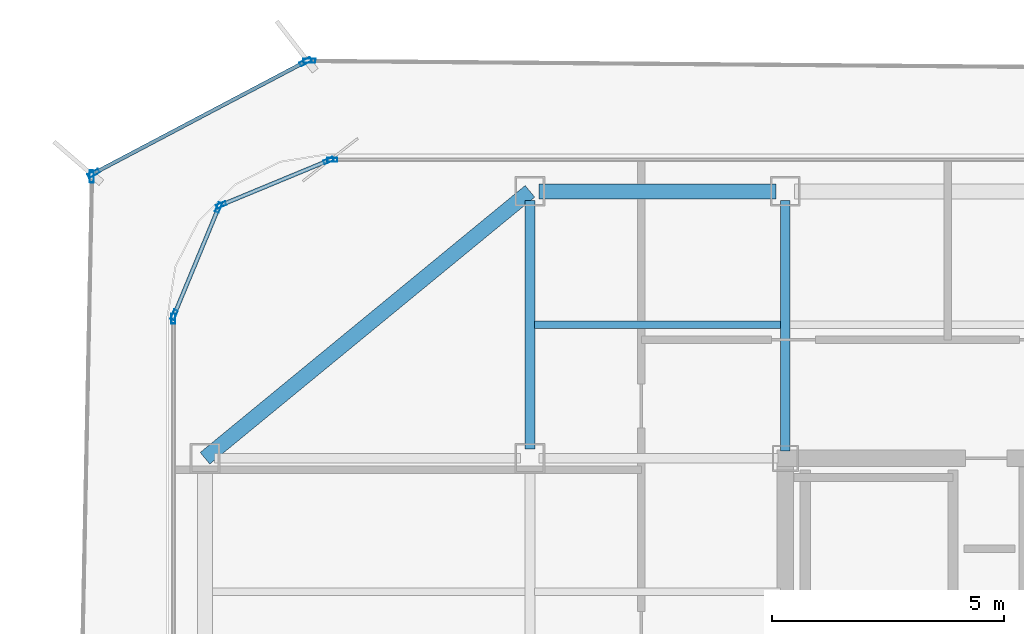
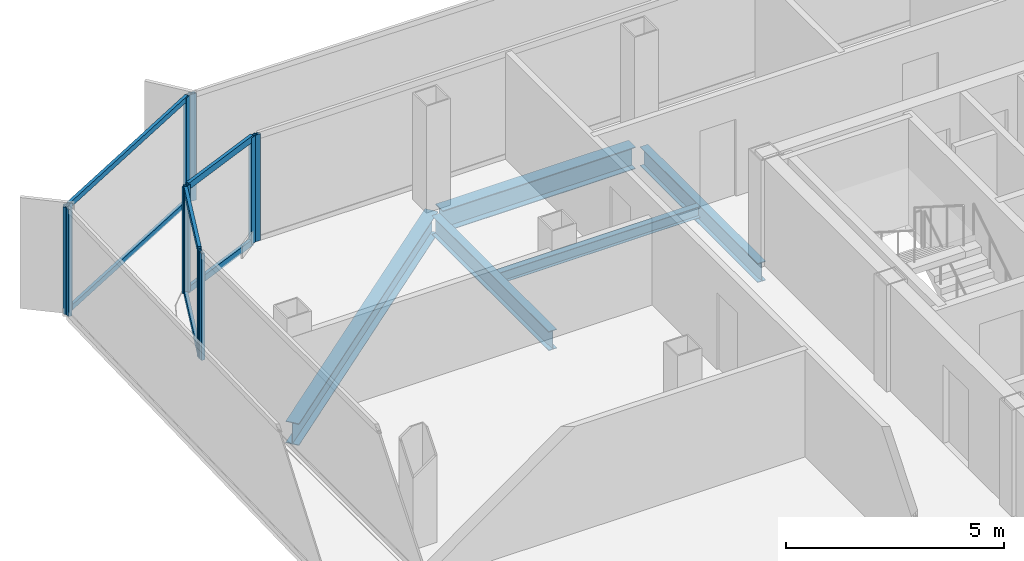
# One storey, part 6 of 15: 16 members, 5 beams, 7 elements without a shape of their own.
"""IFC4 building model written with IfcOpenShell, lengths in metres."""

from ifc_helpers import new_model, si_unit, direction, frame, origin, origin_2d, place, context, subcontext, project, spatial, hollow_rectangle, i_section, extrude, source, transform, mapped, material, layer, layer_set, material_profile, profile_set, type_object, element, aggregate, save


model = new_model("IFC4")

# Units and contexts
model_context = context("Model", 3, precision=1e-05, world=origin(), true_north=direction((0.0, 1.0)))
body_context = subcontext(model_context, "Body", "Model", "MODEL_VIEW")
ifc_project = project(units=[si_unit("LENGTHUNIT", "METRE"), si_unit("AREAUNIT", "SQUARE_METRE"), si_unit("VOLUMEUNIT", "CUBIC_METRE"), si_unit("PLANEANGLEUNIT", "RADIAN"), si_unit("MASSUNIT", "GRAM", prefix="KILO")], contexts=[model_context])

# Site, building, storey
site_placement = place(None, origin())
site = spatial("IfcSite", under=ifc_project, at=site_placement, CompositionType="ELEMENT")
building_placement = place(site_placement, origin())
building = spatial("IfcBuilding", under=site, at=building_placement, Name="Kolveth Station Tower", CompositionType="ELEMENT")
storey_placement = place(building_placement, frame((0.0, 0.0, 239.300048828125)))
storey = spatial("IfcBuildingStorey", under=building, at=storey_placement, Name="L68", CompositionType="ELEMENT", Elevation=239.300048828125)

# Beams
ifc_material_1 = material(Name="Steel S355", Category="steel")
ifc_material_profile_1 = material_profile(ifc_material_1, i_section(OverallWidth=0.323974609375, OverallDepth=0.611083984375, WebThickness=0.0126953125, FlangeThickness=0.01904296875, at=origin_2d()), Name="W610x155")
ifc_profile_set_1 = profile_set([ifc_material_profile_1], Name="Steel S355")
beam_type_1 = type_object("IfcBeamType", Name="Beam_SP2", PredefinedType="SPANDREL", material=ifc_profile_set_1)
shared_shape_1 = source(origin(), body_context, "Body", "SweptSolid", [
    extrude(i_section(OverallWidth=0.323974609375, OverallDepth=0.611083984375, WebThickness=0.0126953125, FlangeThickness=0.01904296875, at=origin_2d()), origin(), (0.0, 0.0, 1.0), 9.058837890625),
])
beam_1_placement = place(storey_placement, frame((13.0, 34.5, -0.525634765625), z_axis=(-0.772726254525, -0.63473942336, 0.0), x_axis=(0.63473942336, -0.772726254525, 0.0)))
element("IfcBeam", 1, at=beam_1_placement, inside=storey, type_object=beam_type_1, Name="L68 Corner Edge Girder BM-L68-CNR-NW", PredefinedType="SPANDREL", context=body_context, shape_type="MappedRepresentation", body=[
    mapped(shared_shape_1, transform((0.0, 0.0, 0.0), x_axis=(1.0, 0.0, 0.0), y_axis=(0.0, 1.0, 0.0), z_axis=(0.0, 0.0, 1.0), scale=1.0)),
])
shared_shape_2 = source(origin(), body_context, "Body", "SweptSolid", [
    extrude(i_section(OverallWidth=0.323974609375, OverallDepth=0.611083984375, WebThickness=0.0126953125, FlangeThickness=0.01904296875, at=origin_2d()), origin(), (0.0, 0.0, 1.0), 5.10009765625),
])
beam_2_placement = place(storey_placement, frame((13.199951171875, 34.5, -0.525634765625), z_axis=(1.0, 0.0, 0.0), x_axis=(0.0, 1.0, 0.0)))
element("IfcBeam", 2, at=beam_2_placement, inside=storey, type_object=beam_type_1, Name="L68 Perimeter Spandrel BM-L68-PN-1", PredefinedType="SPANDREL", context=body_context, shape_type="MappedRepresentation", body=[
    mapped(shared_shape_2, transform((0.0, 0.0, 0.0), x_axis=(1.0, 0.0, 0.0), y_axis=(0.0, 1.0, 0.0), z_axis=(0.0, 0.0, 1.0), scale=1.0)),
])
ifc_material_profile_2 = material_profile(ifc_material_1, i_section(OverallWidth=0.2099609375, OverallDepth=0.537109375, WebThickness=0.010986328125, FlangeThickness=0.017333984375, at=origin_2d()), Name="W530x101")
ifc_profile_set_2 = profile_set([ifc_material_profile_2], Name="Steel S355")
beam_type_2 = type_object("IfcBeamType", Name="Beam_B6", PredefinedType="BEAM", material=ifc_profile_set_2)
shared_shape_3 = source(origin(), body_context, "Body", "SweptSolid", [
    extrude(i_section(OverallWidth=0.2099609375, OverallDepth=0.537109375, WebThickness=0.010986328125, FlangeThickness=0.017333984375, at=origin_2d()), origin(), (0.0, 0.0, 1.0), 5.35009765625),
])
beam_3_placement = place(storey_placement, frame((13.0, 28.949951171875, -0.488525390625), z_axis=(0.0, 1.0, 0.0), x_axis=(-1.0, 0.0, 0.0)))
element("IfcBeam", 3, at=beam_3_placement, inside=storey, type_object=beam_type_2, Name="L68 Primary Girder BM-L68-GX130-6", PredefinedType="BEAM", context=body_context, shape_type="MappedRepresentation", body=[
    mapped(shared_shape_3, transform((0.0, 0.0, 0.0), x_axis=(1.0, 0.0, 0.0), y_axis=(0.0, 1.0, 0.0), z_axis=(0.0, 0.0, 1.0), scale=1.0)),
])
shared_shape_4 = source(origin(), body_context, "Body", "SweptSolid", [
    extrude(i_section(OverallWidth=0.2099609375, OverallDepth=0.537109375, WebThickness=0.010986328125, FlangeThickness=0.017333984375, at=origin_2d()), origin(), (0.0, 0.0, 1.0), 5.39013671875),
])
beam_4_placement = place(storey_placement, frame((18.5, 28.909912109375, -0.488525390625), z_axis=(0.0, 1.0, 0.0), x_axis=(-1.0, 0.0, 0.0)))
element("IfcBeam", 4, at=beam_4_placement, inside=storey, type_object=beam_type_2, Name="L68 Primary Girder BM-L68-GX185-6", PredefinedType="BEAM", context=body_context, shape_type="MappedRepresentation", body=[
    mapped(shared_shape_4, transform((0.0, 0.0, 0.0), x_axis=(1.0, 0.0, 0.0), y_axis=(0.0, 1.0, 0.0), z_axis=(0.0, 0.0, 1.0), scale=1.0)),
])
ifc_material_profile_3 = material_profile(ifc_material_1, i_section(OverallWidth=0.1650390625, OverallDepth=0.31005859375, WebThickness=0.005859375, FlangeThickness=0.009765625, at=origin_2d()), Name="W310x39")
ifc_profile_set_3 = profile_set([ifc_material_profile_3], Name="Steel S355")
beam_type_3 = type_object("IfcBeamType", Name="Beam_J3", PredefinedType="JOIST", material=ifc_profile_set_3)
shared_shape_5 = source(origin(), body_context, "Body", "SweptSolid", [
    extrude(i_section(OverallWidth=0.1650390625, OverallDepth=0.31005859375, WebThickness=0.005859375, FlangeThickness=0.009765625, at=origin_2d()), origin(), (0.0, 0.0, 1.0), 5.2939453125),
])
beam_5_placement = place(storey_placement, frame((13.10302734375, 31.625, -0.375), z_axis=(1.0, 0.0, 0.0), x_axis=(0.0, 1.0, 0.0)))
element("IfcBeam", 5, at=beam_5_placement, inside=storey, type_object=beam_type_3, Name="L68 Secondary Joist JST-L68-2-6", PredefinedType="JOIST", context=body_context, shape_type="MappedRepresentation", body=[
    mapped(shared_shape_5, transform((0.0, 0.0, 0.0), x_axis=(1.0, 0.0, 0.0), y_axis=(0.0, 1.0, 0.0), z_axis=(0.0, 0.0, 1.0), scale=1.0)),
])

# Curtain wall, member
ifc_material_2 = material(Name="Black anodized aluminium 6063-T6 and dark solar glass", Category="aluminium")
ifc_layer_1 = layer(ifc_material_2, 0.159912109375)
ifc_layer_set_1 = layer_set([ifc_layer_1], Name="Black anodized aluminium 6063-T6 and dark solar glass")
curtain_wall_type_1 = type_object("IfcCurtainWallType", Name="OUTER SKIN CW-OS", PredefinedType="NOTDEFINED", material=ifc_layer_set_1)
curtain_wall_1_placement = place(storey_placement, origin())
curtain_wall_1 = element("IfcCurtainWall", 6, at=curtain_wall_1_placement, inside=storey, type_object=curtain_wall_type_1, Name="L68 Outer Ventilated Skin Curtain Wall 4", PredefinedType="NOTDEFINED")
ifc_material_3 = material(Name="Black anodized aluminium 6063-T6", Category="aluminium")
ifc_material_profile_4 = material_profile(ifc_material_3, hollow_rectangle(XDim=0.090087890625, YDim=0.260009765625, WallThickness=0.0048828125, at=origin_2d()), Name="ALU-90x260x5")
ifc_profile_set_4 = profile_set([ifc_material_profile_4], Name="Black anodized aluminium 6063-T6")
member_type_1 = type_object("IfcMemberType", Name="FIN MULLION ML-OS", PredefinedType="MULLION", material=ifc_profile_set_4)
shared_shape_6 = source(origin(), body_context, "Body", "SweptSolid", [
    extrude(hollow_rectangle(XDim=0.090087890625, YDim=0.260009765625, WallThickness=0.0048828125, at=origin_2d()), origin(), (0.0, 0.0, 1.0), 2.989990234375),
])
member_1_placement = place(storey_placement, frame((8.250244140625, 37.31396484375, 0.0), z_axis=(0.0, 0.0, 1.0), x_axis=(-0.008262166568, -0.999965867719, 0.0)))
member_1 = element("IfcMember", 7, at=member_1_placement, type_object=member_type_1, Name="CW-OS mullion 2", PredefinedType="MULLION", context=body_context, shape_type="MappedRepresentation", body=[
    mapped(shared_shape_6, transform((0.0, 0.0, 0.0), x_axis=(1.0, 0.0, 0.0), y_axis=(0.0, 1.0, 0.0), z_axis=(0.0, 0.0, 1.0), scale=1.0)),
])
aggregate(curtain_wall_1, [member_1])

# Curtain wall, members
curtain_wall_2_placement = place(storey_placement, origin())
curtain_wall_2 = element("IfcCurtainWall", 8, at=curtain_wall_2_placement, inside=storey, type_object=curtain_wall_type_1, Name="L68 Outer Ventilated Skin Curtain Wall 5", PredefinedType="NOTDEFINED")
member_2_placement = place(storey_placement, frame((8.16552734375, 37.293212890625, 0.0), z_axis=(0.0, 0.0, 1.0), x_axis=(0.466525659637, -0.884507664693, 0.0)))
member_2 = element("IfcMember", 9, at=member_2_placement, type_object=member_type_1, Name="CW-OS mullion 1", PredefinedType="MULLION", context=body_context, shape_type="MappedRepresentation", body=[
    mapped(shared_shape_6, transform((0.0, 0.0, 0.0), x_axis=(1.0, 0.0, 0.0), y_axis=(0.0, 1.0, 0.0), z_axis=(0.0, 0.0, 1.0), scale=1.0)),
])
member_3_placement = place(storey_placement, frame((3.6005859375, 34.885498046875, 0.0), z_axis=(0.0, 0.0, 1.0), x_axis=(0.466525659637, -0.884507664693, 0.0)))
member_3 = element("IfcMember", 10, at=member_3_placement, type_object=member_type_1, Name="CW-OS mullion 2", PredefinedType="MULLION", context=body_context, shape_type="MappedRepresentation", body=[
    mapped(shared_shape_6, transform((0.0, 0.0, 0.0), x_axis=(1.0, 0.0, 0.0), y_axis=(0.0, 1.0, 0.0), z_axis=(0.0, 0.0, 1.0), scale=1.0)),
])

# Curtain wall, member
curtain_wall_3_placement = place(storey_placement, origin())
curtain_wall_3 = element("IfcCurtainWall", 11, at=curtain_wall_3_placement, inside=storey, type_object=curtain_wall_type_1, Name="L68 Outer Ventilated Skin Curtain Wall 6", PredefinedType="NOTDEFINED")
member_4_placement = place(storey_placement, frame((3.559814453125, 34.819580078125, 0.0), z_axis=(0.0, 0.0, 1.0), x_axis=(0.99979600163, -0.020197899021, 0.0)))
member_4 = element("IfcMember", 12, at=member_4_placement, type_object=member_type_1, Name="CW-OS mullion 1", PredefinedType="MULLION", context=body_context, shape_type="MappedRepresentation", body=[
    mapped(shared_shape_6, transform((0.0, 0.0, 0.0), x_axis=(1.0, 0.0, 0.0), y_axis=(0.0, 1.0, 0.0), z_axis=(0.0, 0.0, 1.0), scale=1.0)),
])
aggregate(curtain_wall_3, [member_4])

ifc_material_4 = material(Name="Aluminium 6063-T6 and triple low-E dark glass", Category="aluminium")
ifc_layer_2 = layer(ifc_material_4, 0.199951171875)
ifc_layer_set_2 = layer_set([ifc_layer_2], Name="Aluminium 6063-T6 and triple low-E dark glass")
curtain_wall_type_2 = type_object("IfcCurtainWallType", Name="CurtainWall_CW-Z3", PredefinedType="NOTDEFINED", material=ifc_layer_set_2)
curtain_wall_4_placement = place(storey_placement, origin())
curtain_wall_4 = element("IfcCurtainWall", 13, at=curtain_wall_4_placement, inside=storey, type_object=curtain_wall_type_2, Name="L68 Inner Thermal Curtain Wall 6", PredefinedType="NOTDEFINED")
ifc_material_profile_5 = material_profile(ifc_material_3, hollow_rectangle(XDim=0.0849609375, YDim=0.215087890625, WallThickness=0.0048828125, at=origin_2d()), Name="ALU-85x215x5")
ifc_profile_set_5 = profile_set([ifc_material_profile_5], Name="Black anodized aluminium 6063-T6")
member_type_2 = type_object("IfcMemberType", Name="Mullion_ML3", PredefinedType="MULLION", material=ifc_profile_set_5)
shared_shape_7 = source(origin(), body_context, "Body", "SweptSolid", [
    extrude(hollow_rectangle(XDim=0.0849609375, YDim=0.215087890625, WallThickness=0.0048828125, at=origin_2d()), origin(), (0.0, 0.0, 1.0), 2.97998046875),
])
member_5_placement = place(storey_placement, frame((8.742431640625, 35.179931640625, 0.0), z_axis=(0.0, 0.0, 1.0), x_axis=(0.0, -1.0, 0.0)))
member_5 = element("IfcMember", 14, at=member_5_placement, type_object=member_type_2, Name="CW-Z3 mullion 2", PredefinedType="MULLION", context=body_context, shape_type="MappedRepresentation", body=[
    mapped(shared_shape_7, transform((0.0, 0.0, 0.0), x_axis=(1.0, 0.0, 0.0), y_axis=(0.0, 1.0, 0.0), z_axis=(0.0, 0.0, 1.0), scale=1.0)),
])
aggregate(curtain_wall_4, [member_5])

# Curtain wall, members
curtain_wall_5_placement = place(storey_placement, origin())
curtain_wall_5 = element("IfcCurtainWall", 15, at=curtain_wall_5_placement, inside=storey, type_object=curtain_wall_type_2, Name="L68 Inner Thermal Curtain Wall 7", PredefinedType="NOTDEFINED")
member_6_placement = place(storey_placement, frame((8.66064453125, 35.163818359375, 0.0), z_axis=(0.0, 0.0, 1.0), x_axis=(0.382693194181, -0.923875488975, 0.0)))
member_6 = element("IfcMember", 16, at=member_6_placement, type_object=member_type_2, Name="CW-Z3 mullion 1", PredefinedType="MULLION", context=body_context, shape_type="MappedRepresentation", body=[
    mapped(shared_shape_7, transform((0.0, 0.0, 0.0), x_axis=(1.0, 0.0, 0.0), y_axis=(0.0, 1.0, 0.0), z_axis=(0.0, 0.0, 1.0), scale=1.0)),
])
member_7_placement = place(storey_placement, frame((6.349365234375, 34.206298828125, 0.0), z_axis=(0.0, 0.0, 1.0), x_axis=(0.382693194181, -0.923875488975, 0.0)))
member_7 = element("IfcMember", 17, at=member_7_placement, type_object=member_type_2, Name="CW-Z3 mullion 2", PredefinedType="MULLION", context=body_context, shape_type="MappedRepresentation", body=[
    mapped(shared_shape_7, transform((0.0, 0.0, 0.0), x_axis=(1.0, 0.0, 0.0), y_axis=(0.0, 1.0, 0.0), z_axis=(0.0, 0.0, 1.0), scale=1.0)),
])

curtain_wall_6_placement = place(storey_placement, origin())
curtain_wall_6 = element("IfcCurtainWall", 18, at=curtain_wall_6_placement, inside=storey, type_object=curtain_wall_type_2, Name="L68 Inner Thermal Curtain Wall 8", PredefinedType="NOTDEFINED")
member_8_placement = place(storey_placement, frame((6.293701171875, 34.150634765625, 0.0), z_axis=(0.0, 0.0, 1.0), x_axis=(0.923875488975, -0.382693194181, 0.0)))
member_8 = element("IfcMember", 19, at=member_8_placement, type_object=member_type_2, Name="CW-Z3 mullion 1", PredefinedType="MULLION", context=body_context, shape_type="MappedRepresentation", body=[
    mapped(shared_shape_7, transform((0.0, 0.0, 0.0), x_axis=(1.0, 0.0, 0.0), y_axis=(0.0, 1.0, 0.0), z_axis=(0.0, 0.0, 1.0), scale=1.0)),
])
member_9_placement = place(storey_placement, frame((5.336181640625, 31.83935546875, 0.0), z_axis=(0.0, 0.0, 1.0), x_axis=(0.923875488975, -0.382693194181, 0.0)))
member_9 = element("IfcMember", 20, at=member_9_placement, type_object=member_type_2, Name="CW-Z3 mullion 2", PredefinedType="MULLION", context=body_context, shape_type="MappedRepresentation", body=[
    mapped(shared_shape_7, transform((0.0, 0.0, 0.0), x_axis=(1.0, 0.0, 0.0), y_axis=(0.0, 1.0, 0.0), z_axis=(0.0, 0.0, 1.0), scale=1.0)),
])

# Curtain wall, member
curtain_wall_7_placement = place(storey_placement, origin())
curtain_wall_7 = element("IfcCurtainWall", 21, at=curtain_wall_7_placement, inside=storey, type_object=curtain_wall_type_2, Name="L68 Inner Thermal Curtain Wall 9", PredefinedType="NOTDEFINED")
member_10_placement = place(storey_placement, frame((5.320068359375, 31.757568359375, 0.0), z_axis=(0.0, 0.0, 1.0), x_axis=(1.0, 0.0, 0.0)))
member_10 = element("IfcMember", 22, at=member_10_placement, type_object=member_type_2, Name="CW-Z3 mullion 1", PredefinedType="MULLION", context=body_context, shape_type="MappedRepresentation", body=[
    mapped(shared_shape_7, transform((0.0, 0.0, 0.0), x_axis=(1.0, 0.0, 0.0), y_axis=(0.0, 1.0, 0.0), z_axis=(0.0, 0.0, 1.0), scale=1.0)),
])
aggregate(curtain_wall_7, [member_10])

# Member
ifc_material_profile_6 = material_profile(ifc_material_3, hollow_rectangle(XDim=0.0849609375, YDim=0.179931640625, WallThickness=0.0048828125, at=origin_2d()), Name="ALU-85x180x5")
ifc_profile_set_6 = profile_set([ifc_material_profile_6], Name="Black anodized aluminium 6063-T6")
member_type_3 = type_object("IfcMemberType", Name="Transom_TR3", PredefinedType="USERDEFINED", material=ifc_profile_set_6)
shared_shape_8 = source(origin(), body_context, "Body", "SweptSolid", [
    extrude(hollow_rectangle(XDim=0.0849609375, YDim=0.179931640625, WallThickness=0.0048828125, at=origin_2d()), origin(), (0.0, 0.0, 1.0), 2.417236328125),
])
member_11_placement = place(storey_placement, frame((8.62158203125, 35.1474609375, 0.04248046875), z_axis=(-0.923872799448, -0.382699687013, 0.0), x_axis=(0.382699687013, -0.923872799448, 0.0)))
member_11 = element("IfcMember", 23, at=member_11_placement, type_object=member_type_3, Name="CW-Z3 transom 1.1", ObjectType="TRANSOM", PredefinedType="USERDEFINED", context=body_context, shape_type="MappedRepresentation", body=[
    mapped(shared_shape_8, transform((0.0, 0.0, 0.0), x_axis=(1.0, 0.0, 0.0), y_axis=(0.0, 1.0, 0.0), z_axis=(0.0, 0.0, 1.0), scale=1.0)),
])

member_12_placement = place(storey_placement, frame((8.62158203125, 35.1474609375, 2.9375), z_axis=(-0.923872799448, -0.382699687013, 0.0), x_axis=(0.382699687013, -0.923872799448, 0.0)))
member_12 = element("IfcMember", 24, at=member_12_placement, type_object=member_type_3, Name="CW-Z3 transom 1.2", ObjectType="TRANSOM", PredefinedType="USERDEFINED", context=body_context, shape_type="MappedRepresentation", body=[
    mapped(shared_shape_8, transform((0.0, 0.0, 0.0), x_axis=(1.0, 0.0, 0.0), y_axis=(0.0, 1.0, 0.0), z_axis=(0.0, 0.0, 1.0), scale=1.0)),
])

aggregate(curtain_wall_5, [member_6, member_7, member_11, member_12])

member_13_placement = place(storey_placement, frame((6.277587890625, 34.111572265625, 0.04248046875), z_axis=(-0.382699687013, -0.923872799448, 0.0), x_axis=(0.923872799448, -0.382699687013, 0.0)))
member_13 = element("IfcMember", 25, at=member_13_placement, type_object=member_type_3, Name="CW-Z3 transom 1.1", ObjectType="TRANSOM", PredefinedType="USERDEFINED", context=body_context, shape_type="MappedRepresentation", body=[
    mapped(shared_shape_8, transform((0.0, 0.0, 0.0), x_axis=(1.0, 0.0, 0.0), y_axis=(0.0, 1.0, 0.0), z_axis=(0.0, 0.0, 1.0), scale=1.0)),
])

member_14_placement = place(storey_placement, frame((6.277587890625, 34.111572265625, 2.9375), z_axis=(-0.382699687013, -0.923872799448, 0.0), x_axis=(0.923872799448, -0.382699687013, 0.0)))
member_14 = element("IfcMember", 26, at=member_14_placement, type_object=member_type_3, Name="CW-Z3 transom 1.2", ObjectType="TRANSOM", PredefinedType="USERDEFINED", context=body_context, shape_type="MappedRepresentation", body=[
    mapped(shared_shape_8, transform((0.0, 0.0, 0.0), x_axis=(1.0, 0.0, 0.0), y_axis=(0.0, 1.0, 0.0), z_axis=(0.0, 0.0, 1.0), scale=1.0)),
])

aggregate(curtain_wall_6, [member_8, member_9, member_13, member_14])

ifc_material_profile_7 = material_profile(ifc_material_3, hollow_rectangle(XDim=0.080078125, YDim=0.14990234375, WallThickness=0.0048828125, at=origin_2d()), Name="ALU-80x150x5")
ifc_profile_set_7 = profile_set([ifc_material_profile_7], Name="Black anodized aluminium 6063-T6")
member_type_4 = type_object("IfcMemberType", Name="Transom_TR-OS", PredefinedType="USERDEFINED", material=ifc_profile_set_7)
shared_shape_9 = source(origin(), body_context, "Body", "SweptSolid", [
    extrude(hollow_rectangle(XDim=0.080078125, YDim=0.14990234375, WallThickness=0.0048828125, at=origin_2d()), origin(), (0.0, 0.0, 1.0), 5.071044921875),
])
member_15_placement = place(storey_placement, frame((8.125732421875, 37.272216796875, 0.0400390625), z_axis=(-0.884510587882, -0.466520117384, 0.0), x_axis=(0.466520117384, -0.884510587882, 0.0)))
member_15 = element("IfcMember", 27, at=member_15_placement, type_object=member_type_4, Name="CW-OS transom 1.1", ObjectType="TRANSOM", PredefinedType="USERDEFINED", context=body_context, shape_type="MappedRepresentation", body=[
    mapped(shared_shape_9, transform((0.0, 0.0, 0.0), x_axis=(1.0, 0.0, 0.0), y_axis=(0.0, 1.0, 0.0), z_axis=(0.0, 0.0, 1.0), scale=1.0)),
])

member_16_placement = place(storey_placement, frame((8.125732421875, 37.272216796875, 2.949951171875), z_axis=(-0.884510587882, -0.466520117384, 0.0), x_axis=(0.466520117384, -0.884510587882, 0.0)))
member_16 = element("IfcMember", 28, at=member_16_placement, type_object=member_type_4, Name="CW-OS transom 1.2", ObjectType="TRANSOM", PredefinedType="USERDEFINED", context=body_context, shape_type="MappedRepresentation", body=[
    mapped(shared_shape_9, transform((0.0, 0.0, 0.0), x_axis=(1.0, 0.0, 0.0), y_axis=(0.0, 1.0, 0.0), z_axis=(0.0, 0.0, 1.0), scale=1.0)),
])

aggregate(curtain_wall_2, [member_2, member_3, member_15, member_16])

save(model, "model.ifc")
